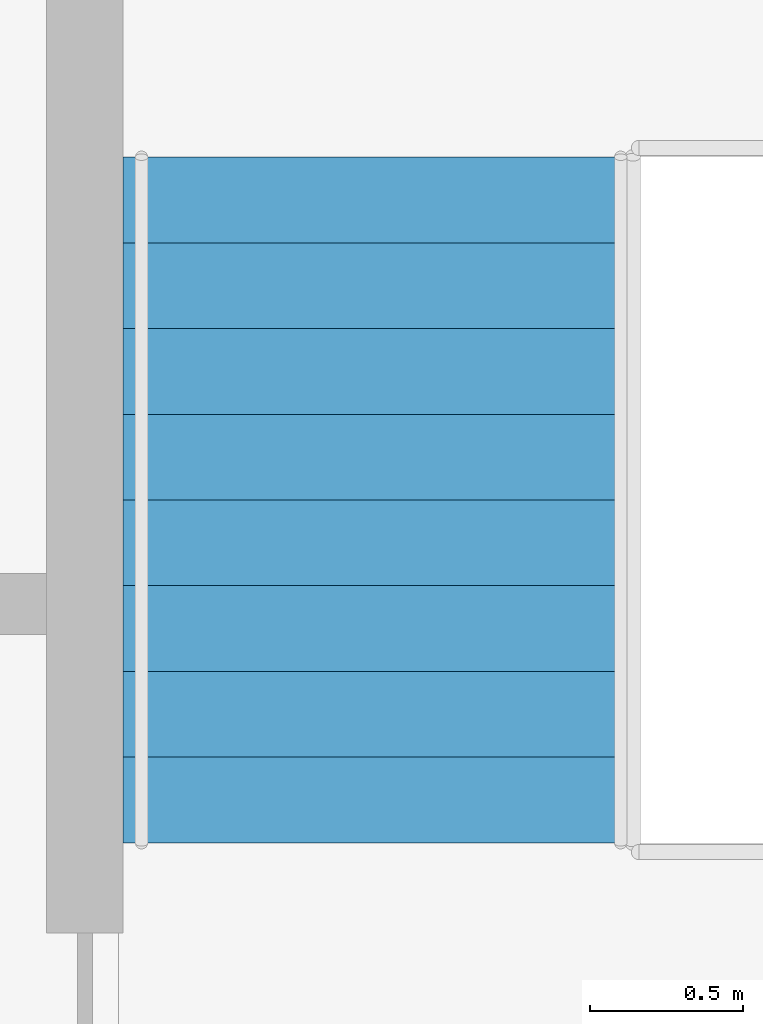
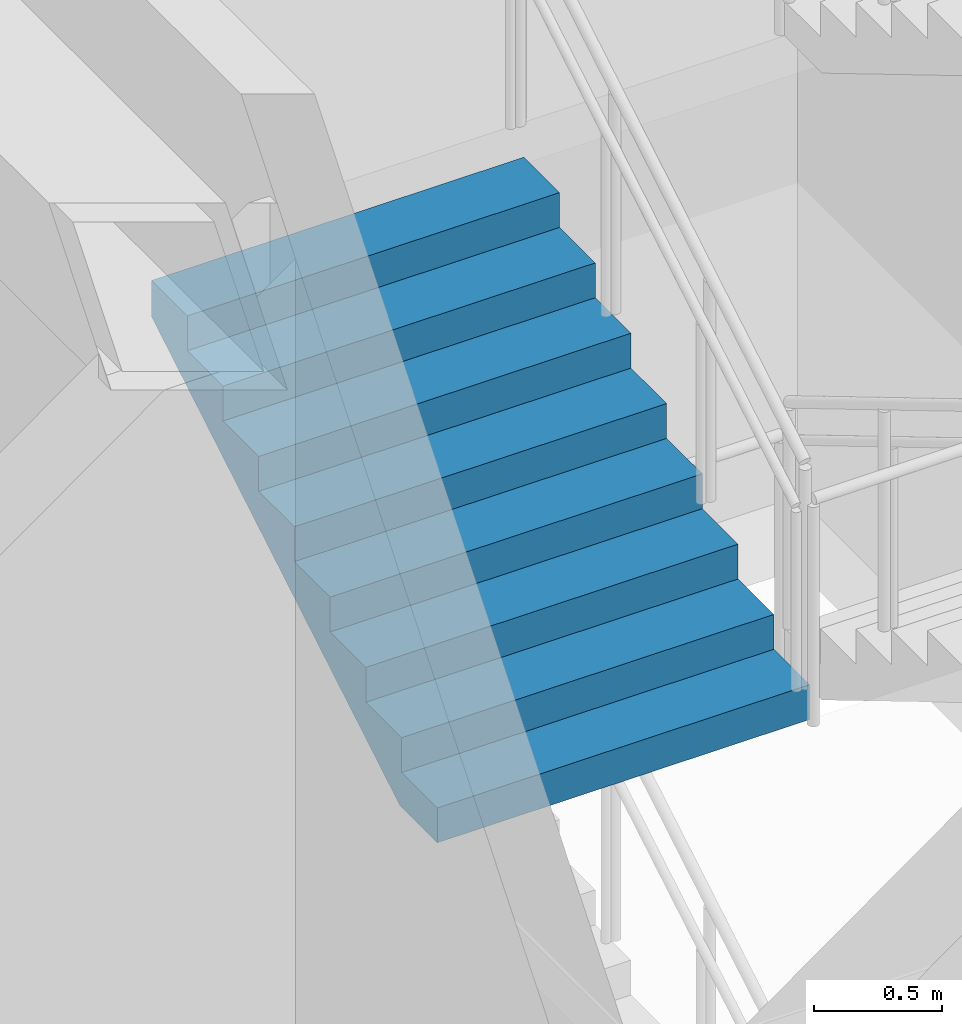
# One storey, part 28 of 57: 1 stair flight, 1 element without a shape of its own.
"""IFC4 building model written with IfcOpenShell, lengths in metres."""

from ifc_helpers import new_model, si_unit, direction, frame, origin, place, context, subcontext, project, spatial, triangles, material, type_object, element, aggregate, save


model = new_model("IFC4")

# Units and contexts
model_context = context("Model", 3, precision=1e-05, world=origin(), true_north=direction((0.0, 1.0)))
body_context = subcontext(model_context, "Body", "Model", "MODEL_VIEW")
ifc_project = project(units=[si_unit("LENGTHUNIT", "METRE"), si_unit("AREAUNIT", "SQUARE_METRE"), si_unit("VOLUMEUNIT", "CUBIC_METRE"), si_unit("PLANEANGLEUNIT", "RADIAN"), si_unit("MASSUNIT", "GRAM", prefix="KILO")], contexts=[model_context])

# Site, building, storey
site_placement = place(None, origin())
site = spatial("IfcSite", under=ifc_project, at=site_placement, CompositionType="ELEMENT")
building_placement = place(site_placement, origin())
building = spatial("IfcBuilding", under=site, at=building_placement, Name="Orbita Commons", CompositionType="ELEMENT")
storey_placement = place(building_placement, origin())
storey = spatial("IfcBuildingStorey", under=building, at=storey_placement, Name="L00", CompositionType="ELEMENT", Elevation=0.0)

# Stair, stair flight
ifc_material_1 = material(Name="Precast concrete C40/50", Category="concrete")
stair_type = type_object("IfcStairType", Name="Podium exit stair 4 flights 9 risers 167", PredefinedType="HALF_TURN_STAIR", material=ifc_material_1)
stair_placement = place(storey_placement, origin())
stair = element("IfcStair", 1, at=stair_placement, inside=storey, type_object=stair_type, Name="Podium exit stair PS1 L00", PredefinedType="HALF_TURN_STAIR")
ifc_material_2 = material(Name="Precast concrete C40/50", Category="concrete")
stair_flight_type = type_object("IfcStairFlightType", Name="Podium stair flight 9 risers 167 x 1685", PredefinedType="STRAIGHT", material=ifc_material_2)
stair_flight_placement = place(storey_placement, frame((7.5673828125, 29.820068359375, 3.0), z_axis=(0.0, 0.0, 1.0), x_axis=(0.0, 1.0, 0.0)))
stair_flight = element("IfcStairFlight", 2, at=stair_flight_placement, type_object=stair_flight_type, Name="PS1 flight 3", NumberOfRisers=9, NumberOfTreads=8, PredefinedType="STRAIGHT", RiserHeight=0.166666667, TreadLength=0.28, context=body_context, shape_type="Tessellation", body=[
    triangles([(0.0, 0.842529, 0.0), (0.0, 0.842529, 0.020833), (0.0, 0.702108, 0.020833), (0.0, 0.702108, 0.0), (0.0, 0.561686, 0.020833), (0.0, 0.561686, 0.0), (0.0, 0.421265, 0.020833), (0.0, 0.421265, 0.0), (0.0, 0.280843, 0.020833), (0.0, 0.280843, 0.0), (0.0, 0.140422, 0.020833), (0.0, 0.140422, 0.0), (0.0, 0.0, 0.020833), (0.0, 0.0, 0.0), (0.0, -0.140422, 0.020833), (0.0, -0.140422, 0.0), (0.0, -0.280843, 0.020833), (0.0, -0.280843, 0.0), (0.0, -0.421265, 0.020833), (0.0, -0.421265, 0.0), (0.0, -0.561686, 0.020833), (0.0, -0.561686, 0.0), (0.0, -0.702108, 0.020833), (0.0, -0.702108, 0.0), (0.0, -0.842529, 0.020833), (0.0, -0.842529, 0.0), (0.0, 0.842529, 0.041667), (0.0, 0.702108, 0.041667), (0.0, 0.561686, 0.041667), (0.0, 0.421265, 0.041667), (0.0, 0.280843, 0.041667), (0.0, 0.140422, 0.041667), (0.0, 0.0, 0.041667), (0.0, -0.140422, 0.041667), (0.0, -0.280843, 0.041667), (0.0, -0.421265, 0.041667), (0.0, -0.561686, 0.041667), (0.0, -0.702108, 0.041667), (0.0, -0.842529, 0.041667), (0.0, 0.842529, 0.0625), (0.0, 0.702108, 0.0625), (0.0, 0.561686, 0.0625), (0.0, 0.421265, 0.0625), (0.0, 0.280843, 0.0625), (0.0, 0.140422, 0.0625), (0.0, 0.0, 0.0625), (0.0, -0.140422, 0.0625), (0.0, -0.280843, 0.0625), (0.0, -0.421265, 0.0625), (0.0, -0.561686, 0.0625), (0.0, -0.702108, 0.0625), (0.0, -0.842529, 0.0625), (0.0, 0.842529, 0.083333), (0.0, 0.702108, 0.083333), (0.0, 0.561686, 0.083333), (0.0, 0.421265, 0.083333), (0.0, 0.280843, 0.083333), (0.0, 0.140422, 0.083333), (0.0, 0.0, 0.083333), (0.0, -0.140422, 0.083333), (0.0, -0.280843, 0.083333), (0.0, -0.421265, 0.083333), (0.0, -0.561686, 0.083333), (0.0, -0.702108, 0.083333), (0.0, -0.842529, 0.083333), (0.0, 0.842529, 0.104167), (0.0, 0.702108, 0.104167), (0.0, 0.561686, 0.104167), (0.0, 0.421265, 0.104167), (0.0, 0.280843, 0.104167), (0.0, 0.140422, 0.104167), (0.0, 0.0, 0.104167), (0.0, -0.140422, 0.104167), (0.0, -0.280843, 0.104167), (0.0, -0.421265, 0.104167), (0.0, -0.561686, 0.104167), (0.0, -0.702108, 0.104167), (0.0, -0.842529, 0.104167), (0.0, 0.842529, 0.125), (0.0, 0.702108, 0.125), (0.0, 0.561686, 0.125), (0.0, 0.421265, 0.125), (0.0, 0.280843, 0.125), (0.0, 0.140422, 0.125), (0.0, 0.0, 0.125), (0.0, -0.140422, 0.125), (0.0, -0.280843, 0.125), (0.0, -0.421265, 0.125), (0.0, -0.561686, 0.125), (0.0, -0.702108, 0.125), (0.0, -0.842529, 0.125), (0.0, 0.842529, 0.145833), (0.0, 0.702108, 0.145833), (0.0, 0.561686, 0.145833), (0.0, 0.421265, 0.145833), (0.0, 0.280843, 0.145833), (0.0, 0.140422, 0.145833), (0.0, 0.0, 0.145833), (0.0, -0.140422, 0.145833), (0.0, -0.280843, 0.145833), (0.0, -0.421265, 0.145833), (0.0, -0.561686, 0.145833), (0.0, -0.702108, 0.145833), (0.0, -0.842529, 0.145833), (0.0, 0.842529, 0.166667), (0.0, 0.702108, 0.166667), (0.0, 0.561686, 0.166667), (0.0, 0.421265, 0.166667), (0.0, 0.280843, 0.166667), (0.0, 0.140422, 0.166667), (0.0, 0.0, 0.166667), (0.0, -0.140422, 0.166667), (0.0, -0.280843, 0.166667), (0.0, -0.421265, 0.166667), (0.0, -0.561686, 0.166667), (0.0, -0.702108, 0.166667), (0.0, -0.842529, 0.166667), (0.28, 0.842529, 0.166667), (0.28, 0.702108, 0.166667), (0.28, 0.561686, 0.166667), (0.28, 0.421265, 0.166667), (0.28, 0.280843, 0.166667), (0.28, 0.140422, 0.166667), (0.28, 0.0, 0.166667), (0.28, -0.140422, 0.166667), (0.28, -0.280843, 0.166667), (0.28, -0.421265, 0.166667), (0.28, -0.561686, 0.166667), (0.28, -0.702108, 0.166667), (0.28, -0.842529, 0.166667), (0.28, 0.842529, 0.333333), (0.28, 0.702108, 0.333333), (0.28, 0.561686, 0.333333), (0.28, 0.421265, 0.333333), (0.28, 0.280843, 0.333333), (0.28, 0.140422, 0.333333), (0.28, 0.0, 0.333333), (0.28, -0.140422, 0.333333), (0.28, -0.280843, 0.333333), (0.28, -0.421265, 0.333333), (0.28, -0.561686, 0.333333), (0.28, -0.702108, 0.333333), (0.28, -0.842529, 0.333333), (0.56, 0.842529, 0.333333), (0.56, 0.702108, 0.333333), (0.56, 0.561686, 0.333333), (0.56, 0.421265, 0.333333), (0.56, 0.280843, 0.333333), (0.56, 0.140422, 0.333333), (0.56, 0.0, 0.333333), (0.56, -0.140422, 0.333333), (0.56, -0.280843, 0.333333), (0.56, -0.421265, 0.333333), (0.56, -0.561686, 0.333333), (0.56, -0.702108, 0.333333), (0.56, -0.842529, 0.333333), (0.56, 0.842529, 0.5), (0.56, 0.702108, 0.5), (0.56, 0.561686, 0.5), (0.56, 0.421265, 0.5), (0.56, 0.280843, 0.5), (0.56, 0.140422, 0.5), (0.56, 0.0, 0.5), (0.56, -0.140422, 0.5), (0.56, -0.280843, 0.5), (0.56, -0.421265, 0.5), (0.56, -0.561686, 0.5), (0.56, -0.702108, 0.5), (0.56, -0.842529, 0.5), (0.84, 0.842529, 0.5), (0.84, 0.702108, 0.5), (0.84, 0.561686, 0.5), (0.84, 0.421265, 0.5), (0.84, 0.280843, 0.5), (0.84, 0.140422, 0.5), (0.84, 0.0, 0.5), (0.84, -0.140422, 0.5), (0.84, -0.280843, 0.5), (0.84, -0.421265, 0.5), (0.84, -0.561686, 0.5), (0.84, -0.702108, 0.5), (0.84, -0.842529, 0.5), (0.84, 0.842529, 0.666667), (0.84, 0.702108, 0.666667), (0.84, 0.561686, 0.666667), (0.84, 0.421265, 0.666667), (0.84, 0.280843, 0.666667), (0.84, 0.140422, 0.666667), (0.84, 0.0, 0.666667), (0.84, -0.140422, 0.666667), (0.84, -0.280843, 0.666667), (0.84, -0.421265, 0.666667), (0.84, -0.561686, 0.666667), (0.84, -0.702108, 0.666667), (0.84, -0.842529, 0.666667), (1.12, 0.842529, 0.666667), (1.12, 0.702108, 0.666667), (1.12, 0.561686, 0.666667), (1.12, 0.421265, 0.666667), (1.12, 0.280843, 0.666667), (1.12, 0.140422, 0.666667), (1.12, 0.0, 0.666667), (1.12, -0.140422, 0.666667), (1.12, -0.280843, 0.666667), (1.12, -0.421265, 0.666667), (1.12, -0.561686, 0.666667), (1.12, -0.702108, 0.666667), (1.12, -0.842529, 0.666667), (1.12, 0.842529, 0.833333), (1.12, 0.702108, 0.833333), (1.12, 0.561686, 0.833333), (1.12, 0.421265, 0.833333), (1.12, 0.280843, 0.833333), (1.12, 0.140422, 0.833333), (1.12, 0.0, 0.833333), (1.12, -0.140422, 0.833333), (1.12, -0.280843, 0.833333), (1.12, -0.421265, 0.833333), (1.12, -0.561686, 0.833333), (1.12, -0.702108, 0.833333), (1.12, -0.842529, 0.833333), (1.4, 0.842529, 0.833333), (1.4, 0.702108, 0.833333), (1.4, 0.561686, 0.833333), (1.4, 0.421265, 0.833333), (1.4, 0.280843, 0.833333), (1.4, 0.140422, 0.833333), (1.4, 0.0, 0.833333), (1.4, -0.140422, 0.833333), (1.4, -0.280843, 0.833333), (1.4, -0.421265, 0.833333), (1.4, -0.561686, 0.833333), (1.4, -0.702108, 0.833333), (1.4, -0.842529, 0.833333), (1.4, 0.842529, 1.0), (1.4, 0.702108, 1.0), (1.4, 0.561686, 1.0), (1.4, 0.421265, 1.0), (1.4, 0.280843, 1.0), (1.4, 0.140422, 1.0), (1.4, 0.0, 1.0), (1.4, -0.140422, 1.0), (1.4, -0.280843, 1.0), (1.4, -0.421265, 1.0), (1.4, -0.561686, 1.0), (1.4, -0.702108, 1.0), (1.4, -0.842529, 1.0), (1.68, 0.842529, 1.0), (1.68, 0.702108, 1.0), (1.68, 0.561686, 1.0), (1.68, 0.421265, 1.0), (1.68, 0.280843, 1.0), (1.68, 0.140422, 1.0), (1.68, 0.0, 1.0), (1.68, -0.140422, 1.0), (1.68, -0.280843, 1.0), (1.68, -0.421265, 1.0), (1.68, -0.561686, 1.0), (1.68, -0.702108, 1.0), (1.68, -0.842529, 1.0), (1.68, 0.842529, 1.166667), (1.68, 0.702108, 1.166667), (1.68, 0.561686, 1.166667), (1.68, 0.421265, 1.166667), (1.68, 0.280843, 1.166667), (1.68, 0.140422, 1.166667), (1.68, 0.0, 1.166667), (1.68, -0.140422, 1.166667), (1.68, -0.280843, 1.166667), (1.68, -0.421265, 1.166667), (1.68, -0.561686, 1.166667), (1.68, -0.702108, 1.166667), (1.68, -0.842529, 1.166667), (1.96, 0.842529, 1.166667), (1.96, 0.702108, 1.166667), (1.96, 0.561686, 1.166667), (1.96, 0.421265, 1.166667), (1.96, 0.280843, 1.166667), (1.96, 0.140422, 1.166667), (1.96, 0.0, 1.166667), (1.96, -0.140422, 1.166667), (1.96, -0.280843, 1.166667), (1.96, -0.421265, 1.166667), (1.96, -0.561686, 1.166667), (1.96, -0.702108, 1.166667), (1.96, -0.842529, 1.166667), (1.96, 0.842529, 1.333333), (1.96, 0.702108, 1.333333), (1.96, 0.561686, 1.333333), (1.96, 0.421265, 1.333333), (1.96, 0.280843, 1.333333), (1.96, 0.140422, 1.333333), (1.96, 0.0, 1.333333), (1.96, -0.140422, 1.333333), (1.96, -0.280843, 1.333333), (1.96, -0.421265, 1.333333), (1.96, -0.561686, 1.333333), (1.96, -0.702108, 1.333333), (1.96, -0.842529, 1.333333), (2.24, 0.842529, 1.333333), (2.24, 0.702108, 1.333333), (2.24, 0.561686, 1.333333), (2.24, 0.421265, 1.333333), (2.24, 0.280843, 1.333333), (2.24, 0.140422, 1.333333), (2.24, 0.0, 1.333333), (2.24, -0.140422, 1.333333), (2.24, -0.280843, 1.333333), (2.24, -0.421265, 1.333333), (2.24, -0.561686, 1.333333), (2.24, -0.702108, 1.333333), (2.24, -0.842529, 1.333333), (2.24, 0.842529, 1.311527), (2.24, 0.702108, 1.311527), (2.24, 0.561686, 1.311527), (2.24, 0.421265, 1.311527), (2.24, 0.280843, 1.311527), (2.24, 0.140422, 1.311527), (2.24, 0.0, 1.311527), (2.24, -0.140422, 1.311527), (2.24, -0.280843, 1.311527), (2.24, -0.421265, 1.311527), (2.24, -0.561686, 1.311527), (2.24, -0.702108, 1.311527), (2.24, -0.842529, 1.311527), (2.24, 0.842529, 1.289721), (2.24, 0.702108, 1.289721), (2.24, 0.561686, 1.289721), (2.24, 0.421265, 1.289721), (2.24, 0.280843, 1.289721), (2.24, 0.140422, 1.289721), (2.24, 0.0, 1.289721), (2.24, -0.140422, 1.289721), (2.24, -0.280843, 1.289721), (2.24, -0.421265, 1.289721), (2.24, -0.561686, 1.289721), (2.24, -0.702108, 1.289721), (2.24, -0.842529, 1.289721), (2.24, 0.842529, 1.267915), (2.24, 0.702108, 1.267915), (2.24, 0.561686, 1.267915), (2.24, 0.421265, 1.267915), (2.24, 0.280843, 1.267915), (2.24, 0.140422, 1.267915), (2.24, 0.0, 1.267915), (2.24, -0.140422, 1.267915), (2.24, -0.280843, 1.267915), (2.24, -0.421265, 1.267915), (2.24, -0.561686, 1.267915), (2.24, -0.702108, 1.267915), (2.24, -0.842529, 1.267915), (2.24, 0.842529, 1.246109), (2.24, 0.702108, 1.246109), (2.24, 0.561686, 1.246109), (2.24, 0.421265, 1.246109), (2.24, 0.280843, 1.246109), (2.24, 0.140422, 1.246109), (2.24, 0.0, 1.246109), (2.24, -0.140422, 1.246109), (2.24, -0.280843, 1.246109), (2.24, -0.421265, 1.246109), (2.24, -0.561686, 1.246109), (2.24, -0.702108, 1.246109), (2.24, -0.842529, 1.246109), (2.24, 0.842529, 1.224303), (2.24, 0.702108, 1.224303), (2.24, 0.561686, 1.224303), (2.24, 0.421265, 1.224303), (2.24, 0.280843, 1.224303), (2.24, 0.140422, 1.224303), (2.24, 0.0, 1.224303), (2.24, -0.140422, 1.224303), (2.24, -0.280843, 1.224303), (2.24, -0.421265, 1.224303), (2.24, -0.561686, 1.224303), (2.24, -0.702108, 1.224303), (2.24, -0.842529, 1.224303), (2.24, 0.842529, 1.202497), (2.24, 0.702108, 1.202497), (2.24, 0.561686, 1.202497), (2.24, 0.421265, 1.202497), (2.24, 0.280843, 1.202497), (2.24, 0.140422, 1.202497), (2.24, 0.0, 1.202497), (2.24, -0.140422, 1.202497), (2.24, -0.280843, 1.202497), (2.24, -0.421265, 1.202497), (2.24, -0.561686, 1.202497), (2.24, -0.702108, 1.202497), (2.24, -0.842529, 1.202497), (2.24, 0.842529, 1.180691), (2.24, 0.702108, 1.180691), (2.24, 0.561686, 1.180691), (2.24, 0.421265, 1.180691), (2.24, 0.280843, 1.180691), (2.24, 0.140422, 1.180691), (2.24, 0.0, 1.180691), (2.24, -0.140422, 1.180691), (2.24, -0.280843, 1.180691), (2.24, -0.421265, 1.180691), (2.24, -0.561686, 1.180691), (2.24, -0.702108, 1.180691), (2.24, -0.842529, 1.180691), (2.24, 0.842529, 1.158885), (2.24, 0.702108, 1.158885), (2.24, 0.561686, 1.158885), (2.24, 0.421265, 1.158885), (2.24, 0.280843, 1.158885), (2.24, 0.140422, 1.158885), (2.24, 0.0, 1.158885), (2.24, -0.140422, 1.158885), (2.24, -0.280843, 1.158885), (2.24, -0.421265, 1.158885), (2.24, -0.561686, 1.158885), (2.24, -0.702108, 1.158885), (2.24, -0.842529, 1.158885), (0.293073, 0.842529, 0.0), (0.293073, 0.702108, 0.0), (0.293073, 0.561686, 0.0), (0.293073, 0.421265, 0.0), (0.293073, 0.280843, 0.0), (0.293073, 0.140422, 0.0), (0.293073, 0.0, 0.0), (0.293073, -0.140422, 0.0), (0.293073, -0.280843, 0.0), (0.293073, -0.421265, 0.0), (0.293073, -0.561686, 0.0), (0.293073, -0.702108, 0.0), (0.293073, -0.842529, 0.0)], [[3, 2, 1], [4, 3, 1], [5, 3, 4], [6, 5, 4], [7, 5, 6], [8, 7, 6], [9, 7, 8], [10, 9, 8], [11, 9, 10], [12, 11, 10], [13, 11, 12], [14, 13, 12], [15, 13, 14], [16, 15, 14], [17, 15, 16], [18, 17, 16], [19, 17, 18], [20, 19, 18], [21, 19, 20], [22, 21, 20], [23, 21, 22], [24, 23, 22], [25, 23, 24], [26, 25, 24], [28, 27, 2], [3, 28, 2], [29, 28, 3], [5, 29, 3], [30, 29, 5], [7, 30, 5], [31, 30, 7], [9, 31, 7], [32, 31, 9], [11, 32, 9], [33, 32, 11], [13, 33, 11], [34, 33, 13], [15, 34, 13], [35, 34, 15], [17, 35, 15], [36, 35, 17], [19, 36, 17], [37, 36, 19], [21, 37, 19], [38, 37, 21], [23, 38, 21], [39, 38, 23], [25, 39, 23], [41, 40, 27], [28, 41, 27], [42, 41, 28], [29, 42, 28], [43, 42, 29], [30, 43, 29], [44, 43, 30], [31, 44, 30], [45, 44, 31], [32, 45, 31], [46, 45, 32], [33, 46, 32], [47, 46, 33], [34, 47, 33], [48, 47, 34], [35, 48, 34], [49, 48, 35], [36, 49, 35], [50, 49, 36], [37, 50, 36], [51, 50, 37], [38, 51, 37], [52, 51, 38], [39, 52, 38], [54, 53, 40], [41, 54, 40], [55, 54, 41], [42, 55, 41], [56, 55, 42], [43, 56, 42], [57, 56, 43], [44, 57, 43], [58, 57, 44], [45, 58, 44], [59, 58, 45], [46, 59, 45], [60, 59, 46], [47, 60, 46], [61, 60, 47], [48, 61, 47], [62, 61, 48], [49, 62, 48], [63, 62, 49], [50, 63, 49], [64, 63, 50], [51, 64, 50], [65, 64, 51], [52, 65, 51], [67, 66, 53], [54, 67, 53], [68, 67, 54], [55, 68, 54], [69, 68, 55], [56, 69, 55], [70, 69, 56], [57, 70, 56], [71, 70, 57], [58, 71, 57], [72, 71, 58], [59, 72, 58], [73, 72, 59], [60, 73, 59], [74, 73, 60], [61, 74, 60], [75, 74, 61], [62, 75, 61], [76, 75, 62], [63, 76, 62], [77, 76, 63], [64, 77, 63], [78, 77, 64], [65, 78, 64], [80, 79, 66], [67, 80, 66], [81, 80, 67], [68, 81, 67], [82, 81, 68], [69, 82, 68], [83, 82, 69], [70, 83, 69], [84, 83, 70], [71, 84, 70], [85, 84, 71], [72, 85, 71], [86, 85, 72], [73, 86, 72], [87, 86, 73], [74, 87, 73], [88, 87, 74], [75, 88, 74], [89, 88, 75], [76, 89, 75], [90, 89, 76], [77, 90, 76], [91, 90, 77], [78, 91, 77], [93, 92, 79], [80, 93, 79], [94, 93, 80], [81, 94, 80], [95, 94, 81], [82, 95, 81], [96, 95, 82], [83, 96, 82], [97, 96, 83], [84, 97, 83], [98, 97, 84], [85, 98, 84], [99, 98, 85], [86, 99, 85], [100, 99, 86], [87, 100, 86], [101, 100, 87], [88, 101, 87], [102, 101, 88], [89, 102, 88], [103, 102, 89], [90, 103, 89], [104, 103, 90], [91, 104, 90], [106, 105, 92], [93, 106, 92], [107, 106, 93], [94, 107, 93], [108, 107, 94], [95, 108, 94], [109, 108, 95], [96, 109, 95], [110, 109, 96], [97, 110, 96], [111, 110, 97], [98, 111, 97], [112, 111, 98], [99, 112, 98], [113, 112, 99], [100, 113, 99], [114, 113, 100], [101, 114, 100], [115, 114, 101], [102, 115, 101], [116, 115, 102], [103, 116, 102], [117, 116, 103], [104, 117, 103], [119, 118, 105], [106, 119, 105], [120, 119, 106], [107, 120, 106], [121, 120, 107], [108, 121, 107], [122, 121, 108], [109, 122, 108], [123, 122, 109], [110, 123, 109], [124, 123, 110], [111, 124, 110], [125, 124, 111], [112, 125, 111], [126, 125, 112], [113, 126, 112], [127, 126, 113], [114, 127, 113], [128, 127, 114], [115, 128, 114], [129, 128, 115], [116, 129, 115], [130, 129, 116], [117, 130, 116], [132, 131, 118], [119, 132, 118], [133, 132, 119], [120, 133, 119], [134, 133, 120], [121, 134, 120], [135, 134, 121], [122, 135, 121], [136, 135, 122], [123, 136, 122], [137, 136, 123], [124, 137, 123], [138, 137, 124], [125, 138, 124], [139, 138, 125], [126, 139, 125], [140, 139, 126], [127, 140, 126], [141, 140, 127], [128, 141, 127], [142, 141, 128], [129, 142, 128], [143, 142, 129], [130, 143, 129], [145, 144, 131], [132, 145, 131], [146, 145, 132], [133, 146, 132], [147, 146, 133], [134, 147, 133], [148, 147, 134], [135, 148, 134], [149, 148, 135], [136, 149, 135], [150, 149, 136], [137, 150, 136], [151, 150, 137], [138, 151, 137], [152, 151, 138], [139, 152, 138], [153, 152, 139], [140, 153, 139], [154, 153, 140], [141, 154, 140], [155, 154, 141], [142, 155, 141], [156, 155, 142], [143, 156, 142], [158, 157, 144], [145, 158, 144], [159, 158, 145], [146, 159, 145], [160, 159, 146], [147, 160, 146], [161, 160, 147], [148, 161, 147], [162, 161, 148], [149, 162, 148], [163, 162, 149], [150, 163, 149], [164, 163, 150], [151, 164, 150], [165, 164, 151], [152, 165, 151], [166, 165, 152], [153, 166, 152], [167, 166, 153], [154, 167, 153], [168, 167, 154], [155, 168, 154], [169, 168, 155], [156, 169, 155], [171, 170, 157], [158, 171, 157], [172, 171, 158], [159, 172, 158], [173, 172, 159], [160, 173, 159], [174, 173, 160], [161, 174, 160], [175, 174, 161], [162, 175, 161], [176, 175, 162], [163, 176, 162], [177, 176, 163], [164, 177, 163], [178, 177, 164], [165, 178, 164], [179, 178, 165], [166, 179, 165], [180, 179, 166], [167, 180, 166], [181, 180, 167], [168, 181, 167], [182, 181, 168], [169, 182, 168], [184, 183, 170], [171, 184, 170], [185, 184, 171], [172, 185, 171], [186, 185, 172], [173, 186, 172], [187, 186, 173], [174, 187, 173], [188, 187, 174], [175, 188, 174], [189, 188, 175], [176, 189, 175], [190, 189, 176], [177, 190, 176], [191, 190, 177], [178, 191, 177], [192, 191, 178], [179, 192, 178], [193, 192, 179], [180, 193, 179], [194, 193, 180], [181, 194, 180], [195, 194, 181], [182, 195, 181], [197, 196, 183], [184, 197, 183], [198, 197, 184], [185, 198, 184], [199, 198, 185], [186, 199, 185], [200, 199, 186], [187, 200, 186], [201, 200, 187], [188, 201, 187], [202, 201, 188], [189, 202, 188], [203, 202, 189], [190, 203, 189], [204, 203, 190], [191, 204, 190], [205, 204, 191], [192, 205, 191], [206, 205, 192], [193, 206, 192], [207, 206, 193], [194, 207, 193], [208, 207, 194], [195, 208, 194], [210, 209, 196], [197, 210, 196], [211, 210, 197], [198, 211, 197], [212, 211, 198], [199, 212, 198], [213, 212, 199], [200, 213, 199], [214, 213, 200], [201, 214, 200], [215, 214, 201], [202, 215, 201], [216, 215, 202], [203, 216, 202], [217, 216, 203], [204, 217, 203], [218, 217, 204], [205, 218, 204], [219, 218, 205], [206, 219, 205], [220, 219, 206], [207, 220, 206], [221, 220, 207], [208, 221, 207], [223, 222, 209], [210, 223, 209], [224, 223, 210], [211, 224, 210], [225, 224, 211], [212, 225, 211], [226, 225, 212], [213, 226, 212], [227, 226, 213], [214, 227, 213], [228, 227, 214], [215, 228, 214], [229, 228, 215], [216, 229, 215], [230, 229, 216], [217, 230, 216], [231, 230, 217], [218, 231, 217], [232, 231, 218], [219, 232, 218], [233, 232, 219], [220, 233, 219], [234, 233, 220], [221, 234, 220], [236, 235, 222], [223, 236, 222], [237, 236, 223], [224, 237, 223], [238, 237, 224], [225, 238, 224], [239, 238, 225], [226, 239, 225], [240, 239, 226], [227, 240, 226], [241, 240, 227], [228, 241, 227], [242, 241, 228], [229, 242, 228], [243, 242, 229], [230, 243, 229], [244, 243, 230], [231, 244, 230], [245, 244, 231], [232, 245, 231], [246, 245, 232], [233, 246, 232], [247, 246, 233], [234, 247, 233], [249, 248, 235], [236, 249, 235], [250, 249, 236], [237, 250, 236], [251, 250, 237], [238, 251, 237], [252, 251, 238], [239, 252, 238], [253, 252, 239], [240, 253, 239], [254, 253, 240], [241, 254, 240], [255, 254, 241], [242, 255, 241], [256, 255, 242], [243, 256, 242], [257, 256, 243], [244, 257, 243], [258, 257, 244], [245, 258, 244], [259, 258, 245], [246, 259, 245], [260, 259, 246], [247, 260, 246], [262, 261, 248], [249, 262, 248], [263, 262, 249], [250, 263, 249], [264, 263, 250], [251, 264, 250], [265, 264, 251], [252, 265, 251], [266, 265, 252], [253, 266, 252], [267, 266, 253], [254, 267, 253], [268, 267, 254], [255, 268, 254], [269, 268, 255], [256, 269, 255], [270, 269, 256], [257, 270, 256], [271, 270, 257], [258, 271, 257], [272, 271, 258], [259, 272, 258], [273, 272, 259], [260, 273, 259], [275, 274, 261], [262, 275, 261], [276, 275, 262], [263, 276, 262], [277, 276, 263], [264, 277, 263], [278, 277, 264], [265, 278, 264], [279, 278, 265], [266, 279, 265], [280, 279, 266], [267, 280, 266], [281, 280, 267], [268, 281, 267], [282, 281, 268], [269, 282, 268], [283, 282, 269], [270, 283, 269], [284, 283, 270], [271, 284, 270], [285, 284, 271], [272, 285, 271], [286, 285, 272], [273, 286, 272], [288, 287, 274], [275, 288, 274], [289, 288, 275], [276, 289, 275], [290, 289, 276], [277, 290, 276], [291, 290, 277], [278, 291, 277], [292, 291, 278], [279, 292, 278], [293, 292, 279], [280, 293, 279], [294, 293, 280], [281, 294, 280], [295, 294, 281], [282, 295, 281], [296, 295, 282], [283, 296, 282], [297, 296, 283], [284, 297, 283], [298, 297, 284], [285, 298, 284], [299, 298, 285], [286, 299, 285], [301, 300, 287], [288, 301, 287], [302, 301, 288], [289, 302, 288], [303, 302, 289], [290, 303, 289], [304, 303, 290], [291, 304, 290], [305, 304, 291], [292, 305, 291], [306, 305, 292], [293, 306, 292], [307, 306, 293], [294, 307, 293], [308, 307, 294], [295, 308, 294], [309, 308, 295], [296, 309, 295], [310, 309, 296], [297, 310, 296], [311, 310, 297], [298, 311, 297], [312, 311, 298], [299, 312, 298], [314, 313, 300], [301, 314, 300], [315, 314, 301], [302, 315, 301], [316, 315, 302], [303, 316, 302], [317, 316, 303], [304, 317, 303], [318, 317, 304], [305, 318, 304], [319, 318, 305], [306, 319, 305], [320, 319, 306], [307, 320, 306], [321, 320, 307], [308, 321, 307], [322, 321, 308], [309, 322, 308], [323, 322, 309], [310, 323, 309], [324, 323, 310], [311, 324, 310], [325, 324, 311], [312, 325, 311], [327, 326, 313], [314, 327, 313], [328, 327, 314], [315, 328, 314], [329, 328, 315], [316, 329, 315], [330, 329, 316], [317, 330, 316], [331, 330, 317], [318, 331, 317], [332, 331, 318], [319, 332, 318], [333, 332, 319], [320, 333, 319], [334, 333, 320], [321, 334, 320], [335, 334, 321], [322, 335, 321], [336, 335, 322], [323, 336, 322], [337, 336, 323], [324, 337, 323], [338, 337, 324], [325, 338, 324], [340, 339, 326], [327, 340, 326], [341, 340, 327], [328, 341, 327], [342, 341, 328], [329, 342, 328], [343, 342, 329], [330, 343, 329], [344, 343, 330], [331, 344, 330], [345, 344, 331], [332, 345, 331], [346, 345, 332], [333, 346, 332], [347, 346, 333], [334, 347, 333], [348, 347, 334], [335, 348, 334], [349, 348, 335], [336, 349, 335], [350, 349, 336], [337, 350, 336], [351, 350, 337], [338, 351, 337], [353, 352, 339], [340, 353, 339], [354, 353, 340], [341, 354, 340], [355, 354, 341], [342, 355, 341], [356, 355, 342], [343, 356, 342], [357, 356, 343], [344, 357, 343], [358, 357, 344], [345, 358, 344], [359, 358, 345], [346, 359, 345], [360, 359, 346], [347, 360, 346], [361, 360, 347], [348, 361, 347], [362, 361, 348], [349, 362, 348], [363, 362, 349], [350, 363, 349], [364, 363, 350], [351, 364, 350], [366, 365, 352], [353, 366, 352], [367, 366, 353], [354, 367, 353], [368, 367, 354], [355, 368, 354], [369, 368, 355], [356, 369, 355], [370, 369, 356], [357, 370, 356], [371, 370, 357], [358, 371, 357], [372, 371, 358], [359, 372, 358], [373, 372, 359], [360, 373, 359], [374, 373, 360], [361, 374, 360], [375, 374, 361], [362, 375, 361], [376, 375, 362], [363, 376, 362], [377, 376, 363], [364, 377, 363], [379, 378, 365], [366, 379, 365], [380, 379, 366], [367, 380, 366], [381, 380, 367], [368, 381, 367], [382, 381, 368], [369, 382, 368], [383, 382, 369], [370, 383, 369], [384, 383, 370], [371, 384, 370], [385, 384, 371], [372, 385, 371], [386, 385, 372], [373, 386, 372], [387, 386, 373], [374, 387, 373], [388, 387, 374], [375, 388, 374], [389, 388, 375], [376, 389, 375], [390, 389, 376], [377, 390, 376], [392, 391, 378], [379, 392, 378], [393, 392, 379], [380, 393, 379], [394, 393, 380], [381, 394, 380], [395, 394, 381], [382, 395, 381], [396, 395, 382], [383, 396, 382], [397, 396, 383], [384, 397, 383], [398, 397, 384], [385, 398, 384], [399, 398, 385], [386, 399, 385], [400, 399, 386], [387, 400, 386], [401, 400, 387], [388, 401, 387], [402, 401, 388], [389, 402, 388], [403, 402, 389], [390, 403, 389], [405, 404, 391], [392, 405, 391], [406, 405, 392], [393, 406, 392], [407, 406, 393], [394, 407, 393], [408, 407, 394], [395, 408, 394], [409, 408, 395], [396, 409, 395], [410, 409, 396], [397, 410, 396], [411, 410, 397], [398, 411, 397], [412, 411, 398], [399, 412, 398], [413, 412, 399], [400, 413, 399], [414, 413, 400], [401, 414, 400], [415, 414, 401], [402, 415, 401], [416, 415, 402], [403, 416, 402], [418, 417, 404], [405, 418, 404], [419, 418, 405], [406, 419, 405], [420, 419, 406], [407, 420, 406], [421, 420, 407], [408, 421, 407], [422, 421, 408], [409, 422, 408], [423, 422, 409], [410, 423, 409], [424, 423, 410], [411, 424, 410], [425, 424, 411], [412, 425, 411], [426, 425, 412], [413, 426, 412], [427, 426, 413], [414, 427, 413], [428, 427, 414], [415, 428, 414], [429, 428, 415], [416, 429, 415], [4, 1, 417], [418, 4, 417], [6, 4, 418], [419, 6, 418], [8, 6, 419], [420, 8, 419], [10, 8, 420], [421, 10, 420], [12, 10, 421], [422, 12, 421], [14, 12, 422], [423, 14, 422], [16, 14, 423], [424, 16, 423], [18, 16, 424], [425, 18, 424], [20, 18, 425], [426, 20, 425], [22, 20, 426], [427, 22, 426], [24, 22, 427], [428, 24, 427], [26, 24, 428], [429, 26, 428], [404, 417, 1], [26, 429, 416], [391, 404, 1], [26, 416, 403], [378, 391, 1], [26, 403, 390], [365, 378, 1], [26, 390, 377], [352, 365, 1], [26, 377, 364], [339, 352, 1], [26, 364, 351], [326, 339, 1], [26, 351, 338], [313, 326, 1], [26, 338, 325], [287, 300, 313], [325, 312, 299], [274, 287, 313], [325, 299, 286], [248, 261, 274], [286, 273, 260], [248, 274, 313], [325, 286, 260], [222, 235, 248], [260, 247, 234], [222, 248, 313], [325, 260, 234], [196, 209, 222], [234, 221, 208], [196, 222, 313], [325, 234, 208], [170, 183, 196], [208, 195, 182], [170, 196, 313], [325, 208, 182], [144, 157, 170], [182, 169, 156], [144, 170, 313], [325, 182, 156], [118, 131, 144], [156, 143, 130], [118, 144, 313], [325, 156, 130], [118, 313, 1], [26, 325, 130], [92, 105, 118], [130, 117, 104], [79, 92, 118], [130, 104, 91], [66, 79, 118], [130, 91, 78], [53, 66, 118], [130, 78, 65], [40, 53, 118], [130, 65, 52], [27, 40, 118], [130, 52, 39], [2, 27, 118], [130, 39, 25], [1, 2, 118], [130, 25, 26]], closed=True),
])
aggregate(stair, [stair_flight])

save(model, "model.ifc")
